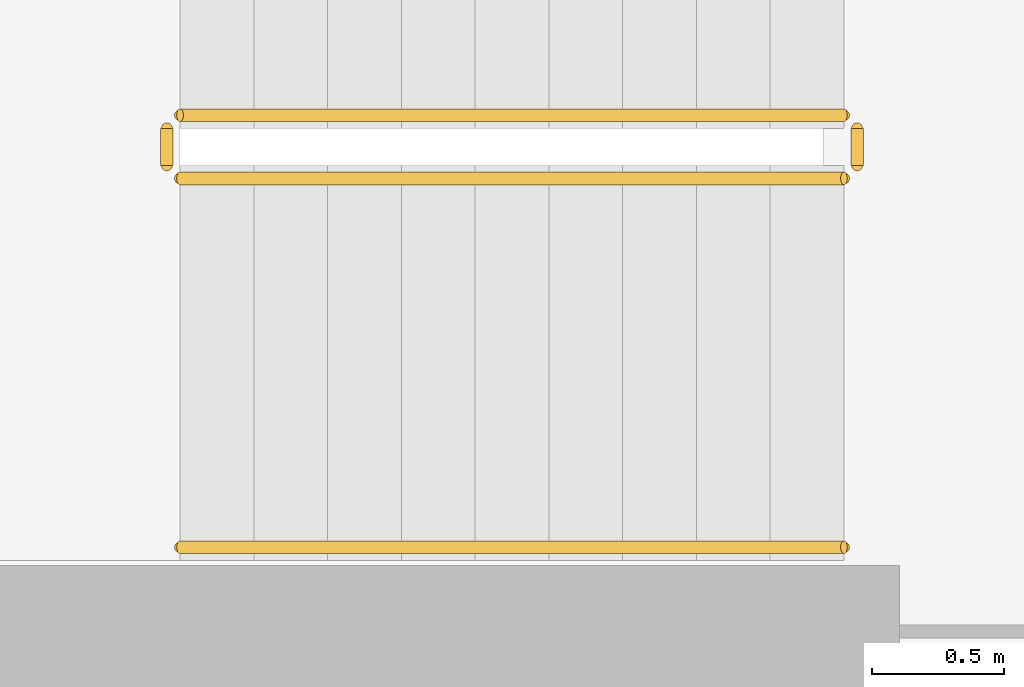
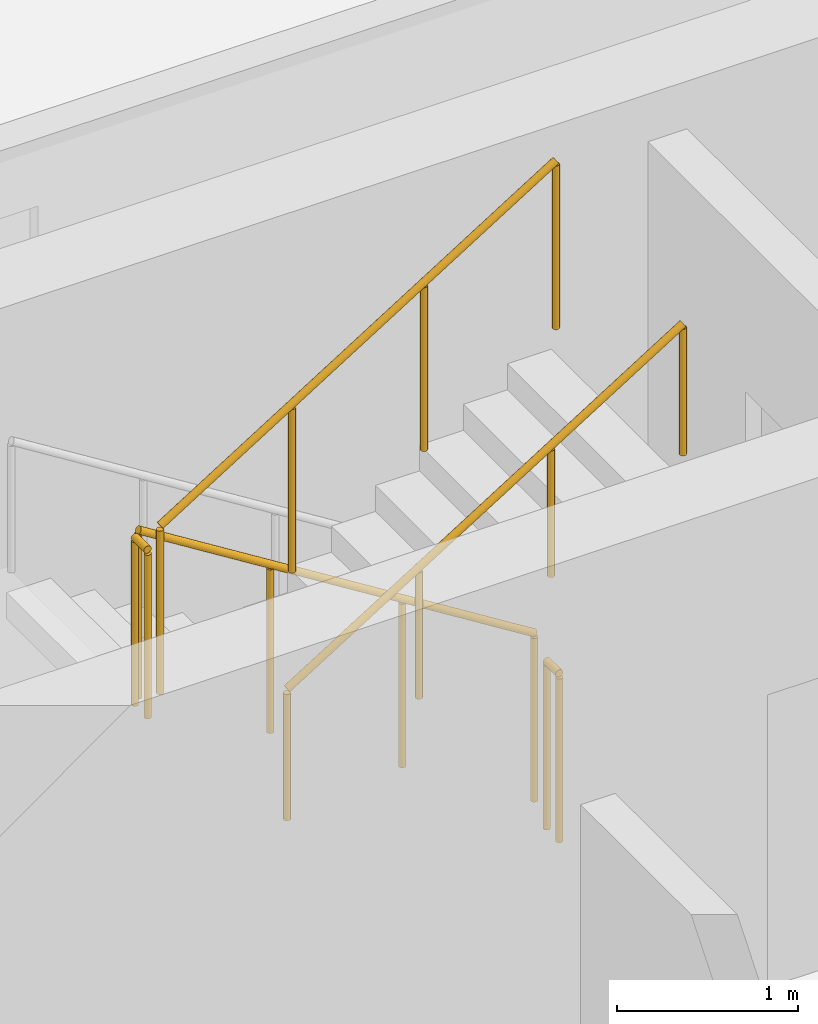
# One storey, part 23 of 25: 5 railings.
"""IFC4 building model written with IfcOpenShell, lengths in metres."""

import ifcopenshell
import ifcopenshell.guid

model = None  # the IFC model being written
_history = None  # IfcOwnerHistory: only IFC2X3 demands one
_inside = {}  # id of a spatial element -> (the spatial element, [elements in it])
_under = {}  # id of a project, library or spatial element -> (it, [spatial elements below it])
_declared = {}  # id of a project -> (the project, [libraries it declares])
_typed = {}  # id of a type object -> (the type object, [elements of that type])
_made_of = {}  # id of a material, layer set ... -> (it, [elements and type objects made of it])


def new_model(schema):
    """Start an empty IFC model of exactly this schema.

    Asked for "IFC4X3", IfcOpenShell would pick the latest addendum, in which some entities
    have other attributes; the version numbers below select the first issue.
    IFC2X3 requires an IfcOwnerHistory on every rooted entity: one is made here for all.
    """
    global model, _history
    if schema == "IFC4X3":
        model = ifcopenshell.file(schema_version=(4, 3, 0, 0))
    else:
        model = ifcopenshell.file(schema=schema)
    _inside.clear()
    _under.clear()
    _declared.clear()
    _typed.clear()
    _made_of.clear()
    _history = None
    if model.schema == "IFC2X3":
        org = make("IfcOrganization", Name="unknown")
        user = make(
            "IfcPersonAndOrganization",
            ThePerson=make("IfcPerson", FamilyName="unknown"),
            TheOrganization=org,
        )
        app = make(
            "IfcApplication",
            ApplicationDeveloper=org,
            Version="unknown",
            ApplicationFullName="unknown",
            ApplicationIdentifier="unknown",
        )
        _history = make(
            "IfcOwnerHistory",
            OwningUser=user,
            OwningApplication=app,
            ChangeAction="ADDED",
            CreationDate=0,
        )
    return model


def make(cls, **values):
    """One entity of the class cls with the attributes given. An attribute that is None is left unset."""
    return model.create_entity(
        cls, **{name: value for name, value in values.items() if value is not None}
    )


def rooted(cls, **values):
    """An entity with a GlobalId (a new one), such as an element, a storey or a relation."""
    return make(cls, GlobalId=ifcopenshell.guid.new(), OwnerHistory=_history, **values)


def si_unit(unit_type, name, prefix=None):
    """IfcSIUnit, for example si_unit("LENGTHUNIT", "METRE", prefix="MILLI")."""
    return make("IfcSIUnit", UnitType=unit_type, Prefix=prefix, Name=name)


def derived_unit(unit_type, elements):
    """IfcDerivedUnit: a product of units, each with its exponent."""
    return make(
        "IfcDerivedUnit",
        Elements=[
            make("IfcDerivedUnitElement", Unit=unit, Exponent=power)
            for unit, power in elements
        ],
        UnitType=unit_type,
    )


def assignment(units):
    """IfcUnitAssignment: the units of a project."""
    return None if units is None else make("IfcUnitAssignment", Units=units)


def point(xyz):
    """IfcCartesianPoint."""
    return None if xyz is None else make("IfcCartesianPoint", Coordinates=xyz)


def direction(xyz):
    """IfcDirection."""
    return None if xyz is None else make("IfcDirection", DirectionRatios=xyz)


def frame(location, z_axis=None, x_axis=None):
    """IfcAxis2Placement3D, a coordinate frame: its origin and axes. An axis left out is left unset."""
    return make(
        "IfcAxis2Placement3D",
        Location=point(location),
        Axis=direction(z_axis),
        RefDirection=direction(x_axis),
    )


def frame_2d(location, x_axis=None):
    """IfcAxis2Placement2D, a coordinate frame in the plane: its origin and x axis."""
    return make(
        "IfcAxis2Placement2D", Location=point(location), RefDirection=direction(x_axis)
    )


def origin():
    """The frame at (0, 0, 0) with its axes left unset."""
    return frame((0.0, 0.0, 0.0))


def origin_2d():
    """The frame at (0, 0) in the plane with its x axis left unset."""
    return frame_2d((0.0, 0.0))


def place(relative_to, where):
    """IfcLocalPlacement: puts the frame where relative to a parent placement (None: the world)."""
    return make(
        "IfcLocalPlacement", PlacementRelTo=relative_to, RelativePlacement=where
    )


def context(
    kind, dimensions, precision=None, world=None, true_north=None, identifier=None
):
    """IfcGeometricRepresentationContext, for example the 3D "Model" context."""
    return make(
        "IfcGeometricRepresentationContext",
        ContextIdentifier=identifier,
        ContextType=kind,
        CoordinateSpaceDimension=dimensions,
        Precision=precision,
        WorldCoordinateSystem=world,
        TrueNorth=true_north,
    )


def subcontext(parent, identifier, kind, view, scale=None):
    """IfcGeometricRepresentationSubContext, for example "Body" below "Model"."""
    return make(
        "IfcGeometricRepresentationSubContext",
        ContextIdentifier=identifier,
        ContextType=kind,
        ParentContext=parent,
        TargetScale=scale,
        TargetView=view,
    )


def project(units=None, contexts=None):
    """IfcProject with its units and contexts."""
    return rooted(
        "IfcProject",
        Name="project",
        RepresentationContexts=contexts,
        UnitsInContext=assignment(units),
    )


def spatial(cls, under=None, at=None, **own):
    """A site, building, storey or space (cls), placed at a placement, below another one or the project."""
    s = rooted(cls, ObjectPlacement=at, **own)
    if under is not None:
        _under.setdefault(under.id(), (under, []))[1].append(s)
    return s


def profile(cls, at=None, kind="AREA", **sizes):
    """A parametric profile (cls). Its sizes go by their IFC names, for example OverallWidth=200.0."""
    return make(cls, ProfileType=kind, Position=at, **sizes)


def circle(**sizes):
    """IfcCircleProfileDef."""
    return profile("IfcCircleProfileDef", **sizes)


def extrude(swept, where, along, depth):
    """IfcExtrudedAreaSolid: the profile swept, set in the frame where, extruded along a direction by depth."""
    return make(
        "IfcExtrudedAreaSolid",
        SweptArea=swept,
        Position=where,
        ExtrudedDirection=direction(along),
        Depth=depth,
    )


def shape(context_of_items, identifier, shape_type, items):
    """IfcShapeRepresentation: the items that make up one representation, for example the "Body"."""
    return make(
        "IfcShapeRepresentation",
        ContextOfItems=context_of_items,
        RepresentationIdentifier=identifier,
        RepresentationType=shape_type,
        Items=items,
    )


def material(Name=None, Category=None):
    """IfcMaterial."""
    return make("IfcMaterial", Name=Name, Category=Category)


def made_of(thing, what):
    """Note that an element or type object is made of a material, layer set ...; save() writes the relation."""
    if what is not None:
        _made_of.setdefault(what.id(), (what, []))[1].append(thing)
    return thing


def type_object(cls, material=None, **own):
    """A type object (cls), such as IfcWallType, which elements share."""
    return made_of(rooted(cls, **own), material)


def element(
    cls,
    number,
    at=None,
    inside=None,
    cuts=None,
    type_object=None,
    material=None,
    context=None,
    identifier="Body",
    shape_type=None,
    held_by="IfcProductDefinitionShape",
    body=None,
    shapes=None,
    **own,
):
    """One element of the class cls, such as IfcWall. Its Tag is "e" and its number.

    at: its placement. inside: the storey or other place that contains it. cuts: it is an
    opening in that element (IfcRelVoidsElement). A single representation is given by context,
    identifier, shape_type and body (its items); several are given by shapes. held_by: the class
    of the entity that holds the representations. save() writes the other relations.
    """
    e = rooted(cls, Tag="e%d" % number, ObjectPlacement=at, **own)
    if body is not None:
        shapes = [shape(context, identifier, shape_type, body)]
    if shapes is not None:
        e.Representation = make(held_by, Representations=shapes)
    if inside is not None:
        _inside.setdefault(inside.id(), (inside, []))[1].append(e)
    if cuts is not None:
        rooted(
            "IfcRelVoidsElement", RelatingBuildingElement=cuts, RelatedOpeningElement=e
        )
    if type_object is not None:
        _typed.setdefault(type_object.id(), (type_object, []))[1].append(e)
    return made_of(e, material)


def aggregate(whole, parts):
    """IfcRelAggregates: a whole, such as a stair, and the parts it consists of."""
    return rooted("IfcRelAggregates", RelatingObject=whole, RelatedObjects=parts)


def save(model, path):
    """Write the relations noted so far, then the file.

    IfcRelAggregates (storeys below a building ...), IfcRelContainedInSpatialStructure (elements
    in a storey), IfcRelDefinesByType, IfcRelAssociatesMaterial and IfcRelDeclares: one each for
    every whole, place, type object, material and project.
    """
    for whole, parts in _under.values():
        aggregate(whole, parts)
    for where, things in _inside.values():
        rooted(
            "IfcRelContainedInSpatialStructure",
            RelatedElements=things,
            RelatingStructure=where,
        )
    for kind, things in _typed.values():
        rooted("IfcRelDefinesByType", RelatedObjects=things, RelatingType=kind)
    for what, things in _made_of.values():
        rooted("IfcRelAssociatesMaterial", RelatedObjects=things, RelatingMaterial=what)
    for by, libraries in _declared.values():
        rooted("IfcRelDeclares", RelatingContext=by, RelatedDefinitions=libraries)
    model.write(path)


model = new_model("IFC4")

# Units and contexts
model_context = context("Model", 3, precision=1e-05, world=origin(), true_north=direction((0.0, 1.0)))
body_context = subcontext(model_context, "Body", "Model", "MODEL_VIEW")
ifc_project = project(units=[si_unit("LENGTHUNIT", "METRE"), si_unit("AREAUNIT", "SQUARE_METRE"), si_unit("VOLUMEUNIT", "CUBIC_METRE"), si_unit("PLANEANGLEUNIT", "RADIAN"), si_unit("MASSUNIT", "GRAM", prefix="KILO"), derived_unit("THERMALTRANSMITTANCEUNIT", [(si_unit("POWERUNIT", "WATT"), 1), (si_unit("LENGTHUNIT", "METRE"), -2), (si_unit("THERMODYNAMICTEMPERATUREUNIT", "KELVIN"), -1)])], contexts=[model_context])

# Site, building, storey
site_placement = place(None, origin())
site = spatial("IfcSite", under=ifc_project, at=site_placement, CompositionType="ELEMENT")
building_placement = place(site_placement, origin())
building = spatial("IfcBuilding", under=site, at=building_placement, Name="Kivonza Crest Hotel", CompositionType="ELEMENT")
storey_placement = place(building_placement, frame((0.0, 0.0, 87.0)))
storey = spatial("IfcBuildingStorey", under=building, at=storey_placement, Name="L23", CompositionType="ELEMENT", Elevation=87.0)

# Railings
ifc_material_1 = material(Name="Brushed stainless steel handrail", Category="steel")
railing_type_1 = type_object("IfcRailingType", Name="RL-HAND-900", PredefinedType="HANDRAIL", material=ifc_material_1)
railing_1_placement = place(storey_placement, frame((9.719970703125, 33.070068359375, 1.925048828125)))
element("IfcRailing", 1, at=railing_1_placement, inside=storey, type_object=railing_type_1, Name="L23 ST-T1-N stair handrail 2", PredefinedType="HANDRAIL", context=body_context, shape_type="SweptSolid", body=[
    extrude(circle(Radius=0.02392578125, at=origin_2d()), frame((0.0, 0.0, 0.8759765625), z_axis=(0.848007534815, 0.0, 0.529984170421), x_axis=(0.0, 1.0, 0.0)), (0.0, 0.0, 1.0), 2.9716796875),
    extrude(circle(Radius=0.02099609375, at=origin_2d()), origin(), (0.0, 0.0, 1.0), 0.851806640625),
    extrude(circle(Radius=0.02099609375, at=origin_2d()), frame((0.840087890625, 0.0, 0.52490234375)), (0.0, 0.0, 1.0), 0.851806640625),
    extrude(circle(Radius=0.02099609375, at=origin_2d()), frame((1.679931640625, 0.0, 1.050048828125)), (0.0, 0.0, 1.0), 0.851806640625),
    extrude(circle(Radius=0.02099609375, at=origin_2d()), frame((2.52001953125, 0.0, 1.574951171875)), (0.0, 0.0, 1.0), 0.851806640625),
])
ifc_material_2 = material(Name="Painted steel balustrade", Category="steel")
railing_type_2 = type_object("IfcRailingType", Name="RL-STAIR-1150", PredefinedType="BALUSTRADE", material=ifc_material_2)
railing_2_placement = place(storey_placement, frame((12.239990234375, 34.7099609375, 0.175048828125)))
element("IfcRailing", 2, at=railing_2_placement, inside=storey, type_object=railing_type_2, Name="L23 ST-T1-N stair guard 1", PredefinedType="BALUSTRADE", context=body_context, shape_type="SweptSolid", body=[
    extrude(circle(Radius=0.02392578125, at=origin_2d()), frame((0.0, 0.0, 1.1259765625), z_axis=(-0.848007534815, 0.0, 0.529984170421), x_axis=(0.0, -1.0, 0.0)), (0.0, 0.0, 1.0), 2.9716796875),
    extrude(circle(Radius=0.02099609375, at=origin_2d()), origin(), (0.0, 0.0, 1.0), 1.101806640625),
    extrude(circle(Radius=0.02099609375, at=origin_2d()), frame((-0.840087890625, 0.0, 0.52490234375)), (0.0, 0.0, 1.0), 1.101806640625),
    extrude(circle(Radius=0.02099609375, at=origin_2d()), frame((-1.679931640625, 0.0, 1.050048828125)), (0.0, 0.0, 1.0), 1.101806640625),
    extrude(circle(Radius=0.02099609375, at=origin_2d()), frame((-2.52001953125, 0.0, 1.574951171875)), (0.0, 0.0, 1.0), 1.101806640625),
])
railing_3_placement = place(storey_placement, frame((9.669921875, 34.659912109375, 1.75)))
element("IfcRailing", 3, at=railing_3_placement, inside=storey, type_object=railing_type_2, Name="L23 ST-T1-N stair guard 2", PredefinedType="BALUSTRADE", context=body_context, shape_type="SweptSolid", body=[
    extrude(circle(Radius=0.02392578125, at=origin_2d()), frame((0.0, 0.0, 1.1259765625), z_axis=(0.0, -1.0, 0.0), x_axis=(1.0, 0.0, 0.0)), (0.0, 0.0, 1.0), 0.139892578125),
    extrude(circle(Radius=0.02099609375, at=origin_2d()), origin(), (0.0, 0.0, 1.0), 1.101806640625),
    extrude(circle(Radius=0.02099609375, at=origin_2d()), frame((0.0, -0.139892578125, 0.0)), (0.0, 0.0, 1.0), 1.101806640625),
])
railing_4_placement = place(storey_placement, frame((9.719970703125, 34.469970703125, 1.925048828125)))
element("IfcRailing", 4, at=railing_4_placement, inside=storey, type_object=railing_type_2, Name="L23 ST-T1-N stair guard 3", PredefinedType="BALUSTRADE", context=body_context, shape_type="SweptSolid", body=[
    extrude(circle(Radius=0.02392578125, at=origin_2d()), frame((0.0, 0.0, 1.1259765625), z_axis=(0.848007534815, 0.0, 0.529984170421), x_axis=(0.0, 1.0, 0.0)), (0.0, 0.0, 1.0), 2.9716796875),
    extrude(circle(Radius=0.02099609375, at=origin_2d()), origin(), (0.0, 0.0, 1.0), 1.101806640625),
    extrude(circle(Radius=0.02099609375, at=origin_2d()), frame((0.840087890625, 0.0, 0.52490234375)), (0.0, 0.0, 1.0), 1.101806640625),
    extrude(circle(Radius=0.02099609375, at=origin_2d()), frame((1.679931640625, 0.0, 1.050048828125)), (0.0, 0.0, 1.0), 1.101806640625),
    extrude(circle(Radius=0.02099609375, at=origin_2d()), frame((2.52001953125, 0.0, 1.574951171875)), (0.0, 0.0, 1.0), 1.101806640625),
])
railing_5_placement = place(storey_placement, frame((12.2900390625, 34.659912109375, 0.0)))
element("IfcRailing", 5, at=railing_5_placement, inside=storey, type_object=railing_type_2, Name="L23 ST-T1-N stair guard 4", PredefinedType="BALUSTRADE", context=body_context, shape_type="SweptSolid", body=[
    extrude(circle(Radius=0.02392578125, at=origin_2d()), frame((0.0, 0.0, 1.1259765625), z_axis=(0.0, -1.0, 0.0), x_axis=(1.0, 0.0, 0.0)), (0.0, 0.0, 1.0), 0.139892578125),
    extrude(circle(Radius=0.02099609375, at=origin_2d()), origin(), (0.0, 0.0, 1.0), 1.101806640625),
    extrude(circle(Radius=0.02099609375, at=origin_2d()), frame((0.0, -0.139892578125, 0.0)), (0.0, 0.0, 1.0), 1.101806640625),
])

save(model, "model.ifc")
